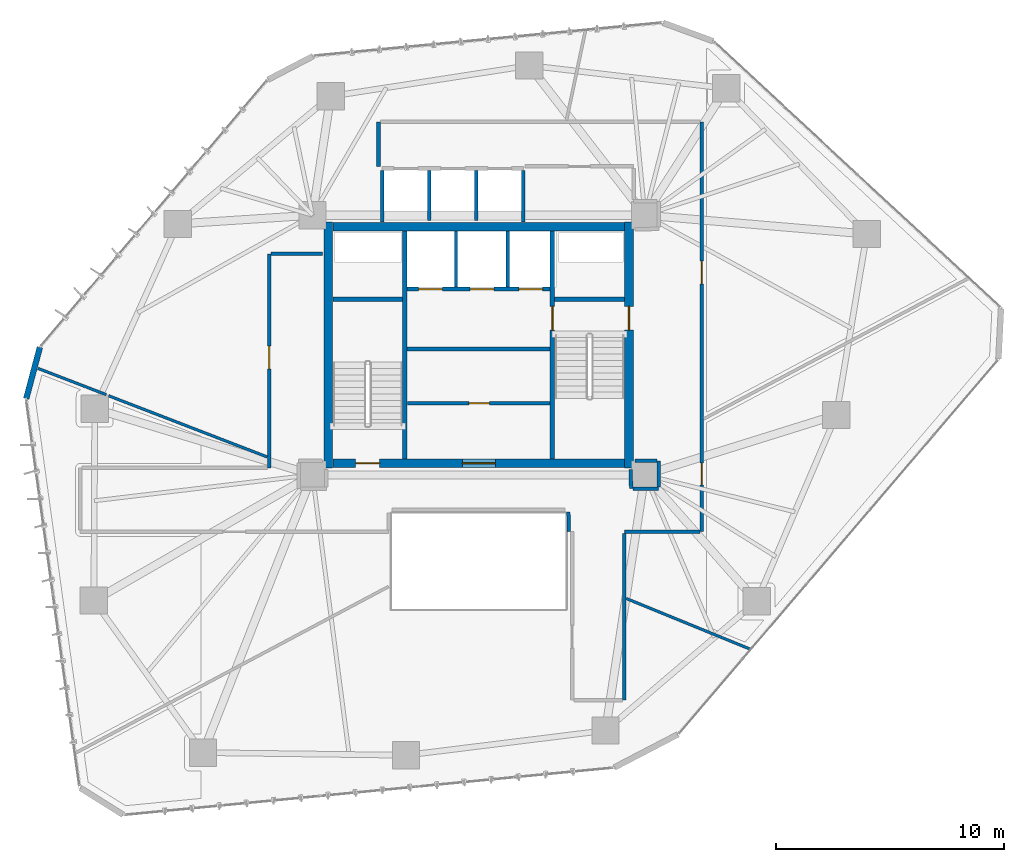
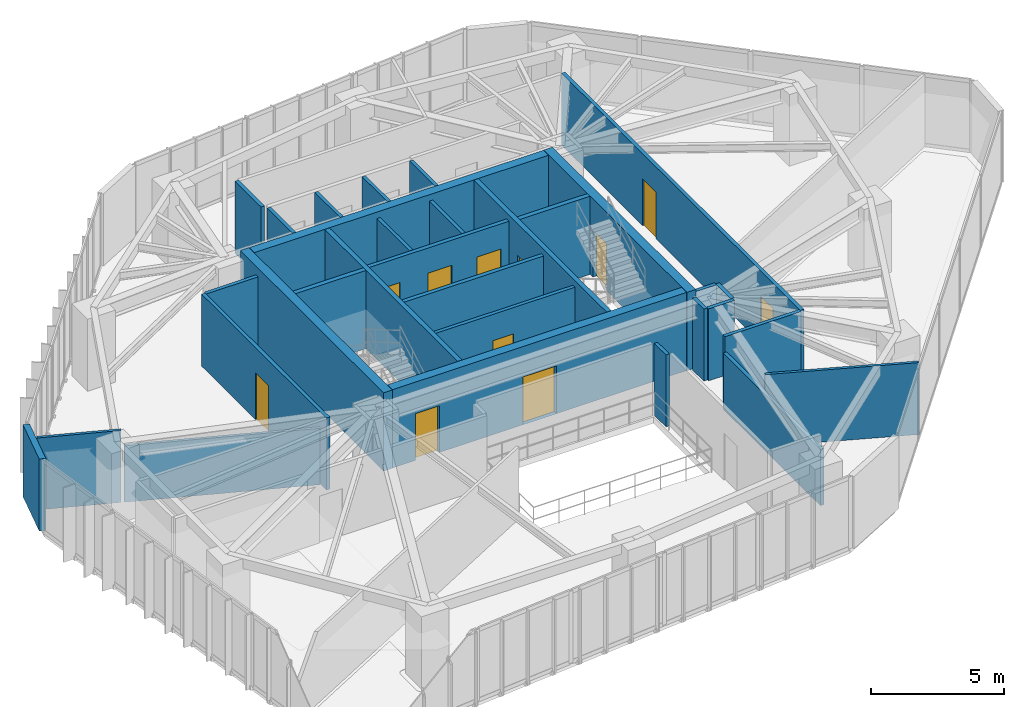
# One storey, part 18 of 22: 32 walls, 11 doors, 11 openings.
"""IFC4 building model written with IfcOpenShell, lengths in metres."""

from ifc_helpers import new_model, si_unit, direction, frame, frame_2d, origin, place, context, subcontext, project, spatial, rectangle, extrude, source, transform, mapped, material, layer, layer_set, type_object, type_shapes, element, fill, save


model = new_model("IFC4")

# Units and contexts
model_context = context("Model", 3, precision=1e-05, world=origin(), true_north=direction((0.0, 1.0)))
body_context = subcontext(model_context, "Body", "Model", "MODEL_VIEW")
ifc_project = project(units=[si_unit("LENGTHUNIT", "METRE"), si_unit("AREAUNIT", "SQUARE_METRE"), si_unit("VOLUMEUNIT", "CUBIC_METRE"), si_unit("PLANEANGLEUNIT", "RADIAN"), si_unit("MASSUNIT", "GRAM", prefix="KILO")], contexts=[model_context])

# Site, building, storey
site_placement = place(None, origin())
site = spatial("IfcSite", under=ifc_project, at=site_placement, CompositionType="ELEMENT")
building_placement = place(site_placement, origin())
building = spatial("IfcBuilding", under=site, at=building_placement, Name="Talar Marvaseh", CompositionType="ELEMENT")
storey_placement = place(building_placement, frame((0.0, 0.0, 107.39990234375)))
storey = spatial("IfcBuildingStorey", under=building, at=storey_placement, Name="L27", CompositionType="ELEMENT", Elevation=107.39990234375)

# Wall
ifc_material_1 = material(Name="Precast concrete C45/55", Category="concrete")
ifc_layer_1 = layer(ifc_material_1, 0.2548828125)
ifc_layer_set_1 = layer_set([ifc_layer_1], Name="Precast concrete C45/55")
wall_type_1 = type_object("IfcWallType", Name="Chamfered Hexagonal Corner Pier Wall Z2 255", PredefinedType="SOLIDWALL", material=ifc_layer_set_1)
wall_1_placement = place(storey_placement, frame((6.1279296875, 28.841796875, 0.0), z_axis=(0.0, 0.0, 1.0), x_axis=(0.256669334324, 0.966499277195, 0.0)))
element("IfcWall", 1, at=wall_1_placement, inside=storey, type_object=wall_type_1, Name="L27 Chamfered Corner Limestone Pier 2", PredefinedType="SOLIDWALL", context=body_context, shape_type="SweptSolid", body=[
    extrude(rectangle(XDim=2.3408203125, YDim=0.2548828125, at=frame_2d((1.17041015625, 0.0))), origin(), (0.0, 0.0, 1.0), 3.31005859375),
])

# Wall, opening, door
ifc_material_2 = material(Name="Gypsum Board Partition Assembly")
ifc_layer_2 = layer(ifc_material_2, 0.155029296875)
ifc_layer_set_2 = layer_set([ifc_layer_2], Name="Gypsum Board Partition Assembly")
wall_type_2 = type_object("IfcWallType", Name="Corridor Fire-Rated Acoustic Partition 155", PredefinedType="PARTITIONING", material=ifc_layer_set_2)
wall_2_placement = place(storey_placement, frame((22.865966796875, 28.639892578125, 0.0), z_axis=(0.0, 0.0, 1.0), x_axis=(1.0, 0.0, 0.0)))
wall_2 = element("IfcWall", 2, at=wall_2_placement, inside=storey, type_object=wall_type_2, Name="L27 Core BOH Partition", PredefinedType="PARTITIONING", context=body_context, shape_type="SweptSolid", body=[
    extrude(rectangle(XDim=6.26806640625, YDim=0.155029296875, at=frame_2d((3.134033203125, 0.0))), origin(), (0.0, 0.0, 1.0), 3.31005859375),
])
opening_1_placement = place(wall_2_placement, frame((2.699951171875, 0.0, 0.0)))
opening_1 = element("IfcOpeningElement", 3, at=opening_1_placement, cuts=wall_2, Name="Opening DR-BOH090", PredefinedType="OPENING", context=body_context, shape_type="SweptSolid", body=[
    extrude(rectangle(XDim=0.89990234375, YDim=2.10009765625, at=frame_2d((0.449951171875, 1.050048828125))), frame((0.0, 0.08740234375, 0.0), z_axis=(0.0, -1.0, 0.0), x_axis=(1.0, 0.0, 0.0)), (0.0, 0.0, 1.0), 0.175048828125),
])
ifc_material_3 = material(Name="Fire-Rated Steel Door Leaf", Category="steel")
door_type_1 = type_object("IfcDoorType", Name="Core Back-of-House Service Door 900x2100", OperationType="NOTDEFINED", PredefinedType="DOOR", material=ifc_material_3)
shared_shape_1 = source(origin(), body_context, "Body", "SweptSolid", [
    extrude(rectangle(XDim=0.89990234375, YDim=2.10009765625, at=frame_2d((0.449951171875, 1.050048828125))), frame((0.0, 0.02490234375, 0.0), z_axis=(0.0, -1.0, 0.0), x_axis=(1.0, 0.0, 0.0)), (0.0, 0.0, 1.0), 0.050048828125),
])
type_shapes(door_type_1, [shared_shape_1])
door_1_placement = place(opening_1_placement, origin())
door_1 = element("IfcDoor", 4, at=door_1_placement, inside=storey, type_object=door_type_1, Name="L27 Store Core Central Archive Door", OperationType="SINGLE_SWING_LEFT", OverallHeight=2.10009765625, OverallWidth=0.89990234375, PredefinedType="DOOR", context=body_context, shape_type="MappedRepresentation", body=[
    mapped(shared_shape_1, transform((0.0, 0.0, 0.0), x_axis=(1.0, 0.0, 0.0), y_axis=(0.0, 1.0, 0.0), z_axis=(0.0, 0.0, 1.0), scale=1.0)),
])
fill(opening_1, door_1)

wall_3_placement = place(storey_placement, frame((16.800048828125, 25.800048828125, 0.0), z_axis=(0.0, 0.0, 1.0), x_axis=(0.0, 1.0, 0.0)))
wall_3 = element("IfcWall", 5, at=wall_3_placement, inside=storey, type_object=wall_type_2, Name="L27 Interior Partition Wall", PredefinedType="PARTITIONING", context=body_context, shape_type="SweptSolid", body=[
    extrude(rectangle(XDim=9.39990234375, YDim=0.155029296875, at=frame_2d((4.699951171875, 0.0))), origin(), (0.0, 0.0, 1.0), 3.31005859375),
])
opening_2_placement = place(wall_3_placement, frame((4.356201171875, 0.0, 0.0)))
opening_2 = element("IfcOpeningElement", 6, at=opening_2_placement, cuts=wall_3, Name="Opening DR-RM100", PredefinedType="OPENING", context=body_context, shape_type="SweptSolid", body=[
    extrude(rectangle(XDim=1.0, YDim=2.14990234375, at=frame_2d((0.5, 1.074951171875))), frame((0.0, 0.08740234375, 0.0), z_axis=(0.0, -1.0, 0.0), x_axis=(1.0, 0.0, 0.0)), (0.0, 0.0, 1.0), 0.175048828125),
])
ifc_material_4 = material(Name="Acoustic Engineered Oak Timber", Category="wood")
door_type_2 = type_object("IfcDoorType", Name="Corridor Fire-Rated Gallery Door 1000x2150", OperationType="NOTDEFINED", PredefinedType="DOOR", material=ifc_material_4)
shared_shape_2 = source(origin(), body_context, "Body", "SweptSolid", [
    extrude(rectangle(XDim=1.0, YDim=2.14990234375, at=frame_2d((0.5, 1.074951171875))), frame((0.0, 0.02490234375, 0.0), z_axis=(0.0, -1.0, 0.0), x_axis=(1.0, 0.0, 0.0)), (0.0, 0.0, 1.0), 0.050048828125),
])
type_shapes(door_type_2, [shared_shape_2])
door_2_placement = place(opening_2_placement, origin())
door_2 = element("IfcDoor", 7, at=door_2_placement, inside=storey, type_object=door_type_2, Name="L27 Colloquium Boardroom Door", OperationType="SINGLE_SWING_LEFT", OverallHeight=2.14990234375, OverallWidth=1.0, PredefinedType="DOOR", context=body_context, shape_type="MappedRepresentation", body=[
    mapped(shared_shape_2, transform((0.0, 0.0, 0.0), x_axis=(1.0, 0.0, 0.0), y_axis=(0.0, 1.0, 0.0), z_axis=(0.0, 0.0, 1.0), scale=1.0)),
])
fill(opening_2, door_2)

# Wall, openings, doors
wall_4_placement = place(storey_placement, frame((35.800048828125, 41.0, 0.0), z_axis=(0.0, 0.0, 1.0), x_axis=(0.0, -1.0, 0.0)))
wall_4 = element("IfcWall", 8, at=wall_4_placement, inside=storey, type_object=wall_type_2, Name="L27 Interior Partition Wall", PredefinedType="PARTITIONING", context=body_context, shape_type="SweptSolid", body=[
    extrude(rectangle(XDim=18.0, YDim=0.155029296875, at=frame_2d((9.0, 0.0))), origin(), (0.0, 0.0, 1.0), 3.31005859375),
])
opening_3_placement = place(wall_4_placement, frame((14.990234375, 0.0, 0.0)))
opening_3 = element("IfcOpeningElement", 9, at=opening_3_placement, cuts=wall_4, Name="Opening DR-WC095", PredefinedType="OPENING", context=body_context, shape_type="SweptSolid", body=[
    extrude(rectangle(XDim=0.949951171875, YDim=2.14990234375, at=frame_2d((0.47509765625, 1.074951171875))), frame((0.0, 0.08740234375, 0.0), z_axis=(0.0, -1.0, 0.0), x_axis=(1.0, 0.0, 0.0)), (0.0, 0.0, 1.0), 0.175048828125),
])
opening_4_placement = place(wall_4_placement, frame((6.114501953125, 0.0, 0.0)))
opening_4 = element("IfcOpeningElement", 10, at=opening_4_placement, cuts=wall_4, Name="Opening DR-RM100", PredefinedType="OPENING", context=body_context, shape_type="SweptSolid", body=[
    extrude(rectangle(XDim=1.0, YDim=2.14990234375, at=frame_2d((0.5, 1.074951171875))), frame((0.0, 0.08740234375, 0.0), z_axis=(0.0, -1.0, 0.0), x_axis=(1.0, 0.0, 0.0)), (0.0, 0.0, 1.0), 0.175048828125),
])
door_type_3 = type_object("IfcDoorType", Name="Washroom and Service Room Door 950x2150", OperationType="NOTDEFINED", PredefinedType="DOOR", material=ifc_material_4)
shared_shape_3 = source(origin(), body_context, "Body", "SweptSolid", [
    extrude(rectangle(XDim=0.949951171875, YDim=2.14990234375, at=frame_2d((0.47509765625, 1.074951171875))), frame((0.0, 0.02490234375, 0.0), z_axis=(0.0, -1.0, 0.0), x_axis=(1.0, 0.0, 0.0)), (0.0, 0.0, 1.0), 0.050048828125),
])
type_shapes(door_type_3, [shared_shape_3])
door_3_placement = place(opening_3_placement, origin())
door_3 = element("IfcDoor", 11, at=door_3_placement, inside=storey, type_object=door_type_3, Name="L27 Accessible WC Block Door", OperationType="SINGLE_SWING_RIGHT", OverallHeight=2.14990234375, OverallWidth=0.949951171875, PredefinedType="DOOR", context=body_context, shape_type="MappedRepresentation", body=[
    mapped(shared_shape_3, transform((0.0, 0.0, 0.0), x_axis=(1.0, 0.0, 0.0), y_axis=(0.0, 1.0, 0.0), z_axis=(0.0, 0.0, 1.0), scale=1.0)),
])
fill(opening_3, door_3)
door_4_placement = place(opening_4_placement, origin())
door_4 = element("IfcDoor", 12, at=door_4_placement, inside=storey, type_object=door_type_2, Name="L27 Archival Research Office Door", OperationType="SINGLE_SWING_LEFT", OverallHeight=2.14990234375, OverallWidth=1.0, PredefinedType="DOOR", context=body_context, shape_type="MappedRepresentation", body=[
    mapped(shared_shape_2, transform((0.0, 0.0, 0.0), x_axis=(1.0, 0.0, 0.0), y_axis=(0.0, 1.0, 0.0), z_axis=(0.0, 0.0, 1.0), scale=1.0)),
])
fill(opening_4, door_4)

# Walls
wall_5_placement = place(storey_placement, frame((16.883544921875, 35.199951171875, 0.0), z_axis=(0.0, 0.0, 1.0), x_axis=(1.0, 0.0, 0.0)))
element("IfcWall", 13, at=wall_5_placement, inside=storey, type_object=wall_type_2, Name="L27 Interior Partition Wall", PredefinedType="PARTITIONING", context=body_context, shape_type="SweptSolid", body=[
    extrude(rectangle(XDim=2.246337890625, YDim=0.155029296875, at=frame_2d((1.123046875, 0.0))), origin(), (0.0, 0.0, 1.0), 3.31005859375),
])
wall_6_placement = place(storey_placement, frame((32.68505859375, 25.72998046875, 0.0), z_axis=(0.0, 0.0, 1.0), x_axis=(0.006382231486, -0.999979633353, 0.0)))
element("IfcWall", 14, at=wall_6_placement, inside=storey, type_object=wall_type_2, Name="L27 Interior Partition Wall", PredefinedType="PARTITIONING", context=body_context, shape_type="SweptSolid", body=[
    extrude(rectangle(XDim=0.841552734375, YDim=0.155029296875, at=frame_2d((0.4208984375, 0.0))), origin(), (0.0, 0.0, 1.0), 3.31005859375),
])
wall_7_placement = place(storey_placement, frame((32.77392578125, 24.88818359375, 0.0), z_axis=(0.0, 0.0, 1.0), x_axis=(0.999999164303, -0.001292823742, 0.0)))
element("IfcWall", 15, at=wall_7_placement, inside=storey, type_object=wall_type_2, Name="L27 Interior Partition Wall", PredefinedType="PARTITIONING", context=body_context, shape_type="SweptSolid", body=[
    extrude(rectangle(XDim=1.133056640625, YDim=0.155029296875, at=frame_2d((0.56640625, 0.0))), origin(), (0.0, 0.0, 1.0), 3.31005859375),
])
wall_8_placement = place(storey_placement, frame((33.907470703125, 24.97021484375, 0.0), z_axis=(0.0, 0.0, 1.0), x_axis=(0.003642572792, 0.99999336581, 0.0)))
element("IfcWall", 16, at=wall_8_placement, inside=storey, type_object=wall_type_2, Name="L27 Interior Partition Wall", PredefinedType="PARTITIONING", context=body_context, shape_type="SweptSolid", body=[
    extrude(rectangle(XDim=1.139404296875, YDim=0.155029296875, at=frame_2d((0.56982421875, 0.0))), origin(), (0.0, 0.0, 1.0), 3.31005859375),
])
wall_9_placement = place(storey_placement, frame((33.828125, 26.110107421875, 0.0), z_axis=(0.0, 0.0, 1.0), x_axis=(-0.999987011364, 0.005096773758, 0.0)))
element("IfcWall", 17, at=wall_9_placement, inside=storey, type_object=wall_type_2, Name="L27 Interior Partition Wall", PredefinedType="PARTITIONING", context=body_context, shape_type="SweptSolid", body=[
    extrude(rectangle(XDim=0.9580078125, YDim=0.155029296875, at=frame_2d((0.47900390625, 0.0))), origin(), (0.0, 0.0, 1.0), 3.31005859375),
])
wall_10_placement = place(storey_placement, frame((21.60009765625, 39.0400390625, 0.0), z_axis=(0.0, 0.0, 1.0), x_axis=(0.0, 1.0, 0.0)))
element("IfcWall", 18, at=wall_10_placement, inside=storey, type_object=wall_type_2, Name="L27 Interior Partition Wall", PredefinedType="PARTITIONING", context=body_context, shape_type="SweptSolid", body=[
    extrude(rectangle(XDim=1.9599609375, YDim=0.155029296875, at=frame_2d((0.97998046875, 0.0))), origin(), (0.0, 0.0, 1.0), 3.31005859375),
])
wall_11_placement = place(storey_placement, frame((35.716552734375, 23.0, 0.0), z_axis=(0.0, 0.0, 1.0), x_axis=(-1.0, 0.0, 0.0)))
element("IfcWall", 19, at=wall_11_placement, inside=storey, type_object=wall_type_2, Name="L27 Interior Partition Wall", PredefinedType="PARTITIONING", context=body_context, shape_type="SweptSolid", body=[
    extrude(rectangle(XDim=3.316650390625, YDim=0.155029296875, at=frame_2d((1.658203125, 0.0))), origin(), (0.0, 0.0, 1.0), 3.31005859375),
])
wall_12_placement = place(storey_placement, frame((32.39990234375, 22.91650390625, 0.0), z_axis=(0.0, 0.0, 1.0), x_axis=(0.0, -1.0, 0.0)))
element("IfcWall", 20, at=wall_12_placement, inside=storey, type_object=wall_type_2, Name="L27 Interior Partition Wall", PredefinedType="PARTITIONING", context=body_context, shape_type="SweptSolid", body=[
    extrude(rectangle(XDim=7.31640625, YDim=0.155029296875, at=frame_2d((3.658203125, 0.0))), origin(), (0.0, 0.0, 1.0), 2.590087890625),
])
wall_13_placement = place(storey_placement, frame((29.9599609375, 23.0, 0.0), z_axis=(0.0, 0.0, 1.0), x_axis=(-0.021467444279, 0.999769547864, 0.0)))
element("IfcWall", 21, at=wall_13_placement, inside=storey, type_object=wall_type_2, Name="L27 Interior Partition Wall", PredefinedType="PARTITIONING", context=body_context, shape_type="SweptSolid", body=[
    extrude(rectangle(XDim=0.875732421875, YDim=0.155029296875, at=frame_2d((0.43798828125, 0.0))), origin(), (0.0, 0.0, 1.0), 3.31005859375),
])
ifc_layer_3 = layer(ifc_material_2, 0.1201171875)
ifc_layer_set_3 = layer_set([ifc_layer_3], Name="Gypsum Board Partition Assembly")
wall_type_3 = type_object("IfcWallType", Name="Demountable Studio Room Partition 120", PredefinedType="PARTITIONING", material=ifc_layer_set_3)
wall_14_placement = place(storey_placement, frame((6.649169921875, 30.171875, 0.0), z_axis=(0.0, 0.0, 1.0), x_axis=(0.933180586246, -0.359407837217, 0.0)))
element("IfcWall", 22, at=wall_14_placement, inside=storey, type_object=wall_type_3, Name="L27 Interior Partition Wall", PredefinedType="PARTITIONING", context=body_context, shape_type="SweptSolid", body=[
    extrude(rectangle(XDim=3.204833984375, YDim=0.1201171875, at=frame_2d((1.6025390625, 0.0))), origin(), (0.0, 0.0, 1.0), 3.31005859375),
])
wall_15_placement = place(storey_placement, frame((9.75, 28.969970703125, 0.0), z_axis=(0.0, 0.0, 1.0), x_axis=(0.932972642156, -0.359947286402, 0.0)))
element("IfcWall", 23, at=wall_15_placement, inside=storey, type_object=wall_type_3, Name="L27 Interior Partition Wall", PredefinedType="PARTITIONING", context=body_context, shape_type="SweptSolid", body=[
    extrude(rectangle(XDim=7.467041015625, YDim=0.1201171875, at=frame_2d((3.7333984375, 0.0))), origin(), (0.0, 0.0, 1.0), 2.590087890625),
])
wall_16_placement = place(storey_placement, frame((32.4833984375, 20.06591796875, 0.0), z_axis=(0.0, 0.0, 1.0), x_axis=(0.925708869709, -0.378236815425, 0.0)))
element("IfcWall", 24, at=wall_16_placement, inside=storey, type_object=wall_type_3, Name="L27 Interior Partition Wall", PredefinedType="PARTITIONING", context=body_context, shape_type="SweptSolid", body=[
    extrude(rectangle(XDim=5.881591796875, YDim=0.1201171875, at=frame_2d((2.94091796875, 0.0))), origin(), (0.0, 0.0, 1.0), 3.31005859375),
])
ifc_layer_4 = layer(ifc_material_1, 0.14501953125)
ifc_layer_set_4 = layer_set([ifc_layer_4], Name="Precast concrete C45/55")
wall_type_4 = type_object("IfcWallType", Name="Fire-Rated Lift Divider Wall 145", PredefinedType="SOLIDWALL", material=ifc_layer_set_4)
for number, where, z_axis, x_axis, name in (
    (25, (25.0, 33.743408203125, 0.0), (0.0, 0.0, 1.0), (0.0, 1.0, 0.0), "L27 FFL-1/FFL-2 Divider"),
    (26, (27.280029296875, 33.743408203125, 0.0), (0.0, 0.0, 1.0), (0.0, 1.0, 0.0), "L27 FFL-2/SVL-1 Divider"),
):
    element("IfcWall", number, at=place(storey_placement, frame(where, z_axis=z_axis, x_axis=x_axis)), inside=storey, type_object=wall_type_4, Name=name, PredefinedType="SOLIDWALL", context=body_context, shape_type="SweptSolid", body=[
        extrude(rectangle(XDim=2.45654296875, YDim=0.14501953125, at=frame_2d((1.228271484375, 0.0))), origin(), (0.0, 0.0, 1.0), 3.31005859375),
    ])
for number, where, z_axis, x_axis, name in (
    (27, (21.760009765625, 36.60009765625, 0.0), (0.0, 0.0, 1.0), (0.0, 1.0, 0.0), "L27 Low-Rise Bank West Wall"),
    (28, (27.9599609375, 36.60009765625, 0.0), (0.0, 0.0, 1.0), (0.0, 1.0, 0.0), "L27 Low-Rise Bank East Wall"),
):
    element("IfcWall", number, at=place(storey_placement, frame(where, z_axis=z_axis, x_axis=x_axis)), inside=storey, type_object=wall_type_4, Name=name, PredefinedType="SOLIDWALL", context=body_context, shape_type="SweptSolid", body=[
        extrude(rectangle(XDim=2.266357421875, YDim=0.14501953125, at=frame_2d((1.13330078125, 0.0))), origin(), (0.0, 0.0, 1.0), 3.31005859375),
    ])
for number, where, z_axis, x_axis, name in (
    (29, (23.830078125, 36.659912109375, 0.0), (0.0, 0.0, 1.0), (0.0, 1.0, 0.0), "L27 PL-L1/PL-L2 Divider"),
    (30, (25.889892578125, 36.659912109375, 0.0), (0.0, 0.0, 1.0), (0.0, 1.0, 0.0), "L27 PL-L2/PL-L3 Divider"),
):
    element("IfcWall", number, at=place(storey_placement, frame(where, z_axis=z_axis, x_axis=x_axis)), inside=storey, type_object=wall_type_4, Name=name, PredefinedType="SOLIDWALL", context=body_context, shape_type="SweptSolid", body=[
        extrude(rectangle(XDim=2.20654296875, YDim=0.14501953125, at=frame_2d((1.103271484375, 0.0))), origin(), (0.0, 0.0, 1.0), 3.31005859375),
    ])

# Wall, openings, doors
ifc_layer_5 = layer(ifc_material_1, 0.175048828125)
ifc_layer_set_5 = layer_set([ifc_layer_5], Name="Precast concrete C45/55")
wall_type_5 = type_object("IfcWallType", Name="Fire-Rated Lift Hoistway Enclosure Wall 175", PredefinedType="SOLIDWALL", material=ifc_layer_set_5)
wall_17_placement = place(storey_placement, frame((22.860107421875, 33.64990234375, 0.0), z_axis=(0.0, 0.0, 1.0), x_axis=(1.0, 0.0, 0.0)))
wall_17 = element("IfcWall", 31, at=wall_17_placement, inside=storey, type_object=wall_type_5, Name="L27 Firefighting and Service Lift Front Wall", PredefinedType="SOLIDWALL", context=body_context, shape_type="SweptSolid", body=[
    extrude(rectangle(XDim=6.27978515625, YDim=0.175048828125, at=frame_2d((3.139892578125, 0.0))), origin(), (0.0, 0.0, 1.0), 3.31005859375),
])
opening_5_placement = place(wall_17_placement, frame((0.5, 0.0, 0.0)))
opening_5 = element("IfcOpeningElement", 32, at=opening_5_placement, cuts=wall_17, Name="Opening LD-FF1", PredefinedType="OPENING", context=body_context, shape_type="SweptSolid", body=[
    extrude(rectangle(XDim=1.050048828125, YDim=2.14990234375, at=frame_2d((0.52490234375, 1.074951171875))), frame((0.0, 0.09765625, 0.0), z_axis=(0.0, -1.0, 0.0), x_axis=(1.0, 0.0, 0.0)), (0.0, 0.0, 1.0), 0.195068359375),
])
opening_6_placement = place(wall_17_placement, frame((2.760009765625, 0.0, 0.0)))
opening_6 = element("IfcOpeningElement", 33, at=opening_6_placement, cuts=wall_17, Name="Opening LD-FF2", PredefinedType="OPENING", context=body_context, shape_type="SweptSolid", body=[
    extrude(rectangle(XDim=1.050048828125, YDim=2.14990234375, at=frame_2d((0.52490234375, 1.074951171875))), frame((0.0, 0.09765625, 0.0), z_axis=(0.0, -1.0, 0.0), x_axis=(1.0, 0.0, 0.0)), (0.0, 0.0, 1.0), 0.195068359375),
])
opening_7_placement = place(wall_17_placement, frame((4.89990234375, 0.0, 0.0)))
opening_7 = element("IfcOpeningElement", 34, at=opening_7_placement, cuts=wall_17, Name="Opening LD-SV1", PredefinedType="OPENING", context=body_context, shape_type="SweptSolid", body=[
    extrude(rectangle(XDim=1.050048828125, YDim=2.14990234375, at=frame_2d((0.52490234375, 1.074951171875))), frame((0.0, 0.09765625, 0.0), z_axis=(0.0, -1.0, 0.0), x_axis=(1.0, 0.0, 0.0)), (0.0, 0.0, 1.0), 0.195068359375),
])
ifc_material_5 = material(Name="Stainless Steel Grade 316", Category="steel")
door_type_4 = type_object("IfcDoorType", Name="Automatic Sliding Lift Landing Door 1050x2150", OperationType="NOTDEFINED", PredefinedType="DOOR", material=ifc_material_5)
shared_shape_4 = source(origin(), body_context, "Body", "SweptSolid", [
    extrude(rectangle(XDim=1.050048828125, YDim=2.14990234375, at=frame_2d((0.52490234375, 1.074951171875))), frame((0.0, 0.02490234375, 0.0), z_axis=(0.0, -1.0, 0.0), x_axis=(1.0, 0.0, 0.0)), (0.0, 0.0, 1.0), 0.050048828125),
])
type_shapes(door_type_4, [shared_shape_4])
door_5_placement = place(opening_5_placement, origin())
door_5 = element("IfcDoor", 35, at=door_5_placement, inside=storey, type_object=door_type_4, Name="L27 Lift FFL-1 Sliding Landing Door", OperationType="SLIDING_TO_LEFT", OverallHeight=2.14990234375, OverallWidth=1.050048828125, PredefinedType="DOOR", context=body_context, shape_type="MappedRepresentation", body=[
    mapped(shared_shape_4, transform((0.0, 0.0, 0.0), x_axis=(1.0, 0.0, 0.0), y_axis=(0.0, 1.0, 0.0), z_axis=(0.0, 0.0, 1.0), scale=1.0)),
])
fill(opening_5, door_5)
door_6_placement = place(opening_6_placement, origin())
door_6 = element("IfcDoor", 36, at=door_6_placement, inside=storey, type_object=door_type_4, Name="L27 Lift FFL-2 Sliding Landing Door", OperationType="SLIDING_TO_LEFT", OverallHeight=2.14990234375, OverallWidth=1.050048828125, PredefinedType="DOOR", context=body_context, shape_type="MappedRepresentation", body=[
    mapped(shared_shape_4, transform((0.0, 0.0, 0.0), x_axis=(1.0, 0.0, 0.0), y_axis=(0.0, 1.0, 0.0), z_axis=(0.0, 0.0, 1.0), scale=1.0)),
])
fill(opening_6, door_6)
door_7_placement = place(opening_7_placement, origin())
door_7 = element("IfcDoor", 37, at=door_7_placement, inside=storey, type_object=door_type_4, Name="L27 Lift SVL-1 Sliding Landing Door", OperationType="SLIDING_TO_LEFT", OverallHeight=2.14990234375, OverallWidth=1.050048828125, PredefinedType="DOOR", context=body_context, shape_type="MappedRepresentation", body=[
    mapped(shared_shape_4, transform((0.0, 0.0, 0.0), x_axis=(1.0, 0.0, 0.0), y_axis=(0.0, 1.0, 0.0), z_axis=(0.0, 0.0, 1.0), scale=1.0)),
])
fill(opening_7, door_7)

# Walls
wall_18_placement = place(storey_placement, frame((22.860107421875, 31.02001953125, 0.0), z_axis=(0.0, 0.0, 1.0), x_axis=(1.0, 0.0, 0.0)))
element("IfcWall", 38, at=wall_18_placement, inside=storey, type_object=wall_type_5, Name="L27 Firefighting Lobby South Smoke Wall", PredefinedType="SOLIDWALL", context=body_context, shape_type="SweptSolid", body=[
    extrude(rectangle(XDim=6.27978515625, YDim=0.175048828125, at=frame_2d((3.139892578125, 0.0))), origin(), (0.0, 0.0, 1.0), 3.31005859375),
])
ifc_material_6 = material(Name="Concrete C60/75", Category="concrete")
ifc_layer_6 = layer(ifc_material_6, 0.3798828125)
ifc_layer_set_6 = layer_set([ifc_layer_6], Name="Concrete C60/75")
wall_type_6 = type_object("IfcWallType", Name="Mid Core Reinforced Concrete Shear Wall 380", PredefinedType="SHEAR", material=ifc_layer_set_6)
wall_19_placement = place(storey_placement, frame((19.39990234375, 25.800048828125, 0.0), z_axis=(0.0, 0.0, 1.0), x_axis=(0.0, 1.0, 0.0)))
element("IfcWall", 39, at=wall_19_placement, inside=storey, type_object=wall_type_6, Name="L27 West Core Shear Wall", PredefinedType="SHEAR", context=body_context, shape_type="SweptSolid", body=[
    extrude(rectangle(XDim=10.800048828125, YDim=0.3798828125, at=frame_2d((5.39990234375, 0.0))), origin(), (0.0, 0.0, 1.0), 3.60009765625),
])

# Wall, opening, door
wall_20_placement = place(storey_placement, frame((32.60009765625, 36.60009765625, 0.0), z_axis=(0.0, 0.0, 1.0), x_axis=(0.0, -1.0, 0.0)))
wall_20 = element("IfcWall", 40, at=wall_20_placement, inside=storey, type_object=wall_type_6, Name="L27 East Core Shear Wall", PredefinedType="SHEAR", context=body_context, shape_type="SweptSolid", body=[
    extrude(rectangle(XDim=10.800048828125, YDim=0.3798828125, at=frame_2d((5.39990234375, 0.0))), origin(), (0.0, 0.0, 1.0), 3.60009765625),
])
opening_8_placement = place(wall_20_placement, frame((3.699951171875, 0.0, 0.0)))
opening_8 = element("IfcOpeningElement", 41, at=opening_8_placement, cuts=wall_20, Name="Opening DR-ST105", PredefinedType="OPENING", context=body_context, shape_type="SweptSolid", body=[
    extrude(rectangle(XDim=1.050048828125, YDim=2.14990234375, at=frame_2d((0.52490234375, 1.074951171875))), frame((0.0, 0.199951171875, 0.0), z_axis=(0.0, -1.0, 0.0), x_axis=(1.0, 0.0, 0.0)), (0.0, 0.0, 1.0), 0.39990234375),
])
door_type_5 = type_object("IfcDoorType", Name="Protected Exit Stair Fire Door 1050x2150", OperationType="NOTDEFINED", PredefinedType="DOOR", material=ifc_material_3)
shared_shape_5 = source(origin(), body_context, "Body", "SweptSolid", [
    extrude(rectangle(XDim=1.050048828125, YDim=2.14990234375, at=frame_2d((0.52490234375, 1.074951171875))), frame((0.0, 0.02490234375, 0.0), z_axis=(0.0, -1.0, 0.0), x_axis=(1.0, 0.0, 0.0)), (0.0, 0.0, 1.0), 0.050048828125),
])
type_shapes(door_type_5, [shared_shape_5])
door_8_placement = place(opening_8_placement, origin())
door_8 = element("IfcDoor", 42, at=door_8_placement, inside=storey, type_object=door_type_5, Name="L27 Stair ST-2 Corridor Exit Door", OperationType="SINGLE_SWING_LEFT", OverallHeight=2.14990234375, OverallWidth=1.050048828125, PredefinedType="DOOR", context=body_context, shape_type="MappedRepresentation", body=[
    mapped(shared_shape_5, transform((0.0, 0.0, 0.0), x_axis=(1.0, 0.0, 0.0), y_axis=(0.0, 1.0, 0.0), z_axis=(0.0, 0.0, 1.0), scale=1.0)),
])
fill(opening_8, door_8)

# Wall
wall_21_placement = place(storey_placement, frame((19.60009765625, 36.39990234375, 0.0), z_axis=(0.0, 0.0, 1.0), x_axis=(1.0, 0.0, 0.0)))
element("IfcWall", 43, at=wall_21_placement, inside=storey, type_object=wall_type_6, Name="L27 North Core Shear Wall", PredefinedType="SHEAR", context=body_context, shape_type="SweptSolid", body=[
    extrude(rectangle(XDim=12.7998046875, YDim=0.3798828125, at=frame_2d((6.39990234375, 0.0))), origin(), (0.0, 0.0, 1.0), 3.60009765625),
])

# Wall, openings, doors
wall_22_placement = place(storey_placement, frame((32.39990234375, 26.0, 0.0), z_axis=(0.0, 0.0, 1.0), x_axis=(-1.0, 0.0, 0.0)))
wall_22 = element("IfcWall", 44, at=wall_22_placement, inside=storey, type_object=wall_type_6, Name="L27 South Core Shear Wall", PredefinedType="SHEAR", context=body_context, shape_type="SweptSolid", body=[
    extrude(rectangle(XDim=12.7998046875, YDim=0.3798828125, at=frame_2d((6.39990234375, 0.0))), origin(), (0.0, 0.0, 1.0), 3.60009765625),
])
opening_9_placement = place(wall_22_placement, frame((10.75, 0.0, 0.0)))
opening_9 = element("IfcOpeningElement", 45, at=opening_9_placement, cuts=wall_22, Name="Opening DR-ST105", PredefinedType="OPENING", context=body_context, shape_type="SweptSolid", body=[
    extrude(rectangle(XDim=1.050048828125, YDim=2.14990234375, at=frame_2d((0.52490234375, 1.074951171875))), frame((0.0, 0.199951171875, 0.0), z_axis=(0.0, -1.0, 0.0), x_axis=(1.0, 0.0, 0.0)), (0.0, 0.0, 1.0), 0.39990234375),
])
opening_10_placement = place(wall_22_placement, frame((5.669921875, 0.0, 0.0)))
opening_10 = element("IfcOpeningElement", 46, at=opening_10_placement, cuts=wall_22, Name="Opening DR-LBY145", PredefinedType="OPENING", context=body_context, shape_type="SweptSolid", body=[
    extrude(rectangle(XDim=1.449951171875, YDim=2.199951171875, at=frame_2d((0.72509765625, 1.10009765625))), frame((0.0, 0.199951171875, 0.0), z_axis=(0.0, -1.0, 0.0), x_axis=(1.0, 0.0, 0.0)), (0.0, 0.0, 1.0), 0.39990234375),
])
door_9_placement = place(opening_9_placement, origin())
door_9 = element("IfcDoor", 47, at=door_9_placement, inside=storey, type_object=door_type_5, Name="L27 Stair ST-1 Exit Door", OperationType="SINGLE_SWING_RIGHT", OverallHeight=2.14990234375, OverallWidth=1.050048828125, PredefinedType="DOOR", context=body_context, shape_type="MappedRepresentation", body=[
    mapped(shared_shape_5, transform((0.0, 0.0, 0.0), x_axis=(1.0, 0.0, 0.0), y_axis=(0.0, 1.0, 0.0), z_axis=(0.0, 0.0, 1.0), scale=1.0)),
])
fill(opening_9, door_9)
door_type_6 = type_object("IfcDoorType", Name="Core Lift Lobby Double Smoke Door 1450x2200", OperationType="NOTDEFINED", PredefinedType="DOOR", material=ifc_material_3)
shared_shape_6 = source(origin(), body_context, "Body", "SweptSolid", [
    extrude(rectangle(XDim=1.449951171875, YDim=2.199951171875, at=frame_2d((0.72509765625, 1.10009765625))), frame((0.0, 0.02490234375, 0.0), z_axis=(0.0, -1.0, 0.0), x_axis=(1.0, 0.0, 0.0)), (0.0, 0.0, 1.0), 0.050048828125),
])
type_shapes(door_type_6, [shared_shape_6])
door_10_placement = place(opening_10_placement, origin())
door_10 = element("IfcDoor", 48, at=door_10_placement, inside=storey, type_object=door_type_6, Name="L27 Passenger Lift Lobby Entrance Door", OperationType="DOUBLE_DOOR_SINGLE_SWING", OverallHeight=2.199951171875, OverallWidth=1.449951171875, PredefinedType="DOOR", context=body_context, shape_type="MappedRepresentation", body=[
    mapped(shared_shape_6, transform((0.0, 0.0, 0.0), x_axis=(1.0, 0.0, 0.0), y_axis=(0.0, 1.0, 0.0), z_axis=(0.0, 0.0, 1.0), scale=1.0)),
])
fill(opening_10, door_10)

# Wall
ifc_material_7 = material(Name="Concrete C50/60", Category="concrete")
ifc_layer_7 = layer(ifc_material_7, 0.199951171875)
ifc_layer_set_7 = layer_set([ifc_layer_7], Name="Concrete C50/60")
wall_type_7 = type_object("IfcWallType", Name="Stair Shaft Structural Concrete Shear Wall 200", PredefinedType="SHEAR", material=ifc_layer_set_7)
wall_23_placement = place(storey_placement, frame((22.760009765625, 26.199951171875, 0.0), z_axis=(0.0, 0.0, 1.0), x_axis=(0.0, 1.0, 0.0)))
element("IfcWall", 49, at=wall_23_placement, inside=storey, type_object=wall_type_7, Name="L27 Core West Stair Shear Wall", PredefinedType="SHEAR", context=body_context, shape_type="SweptSolid", body=[
    extrude(rectangle(XDim=10.0, YDim=0.199951171875, at=frame_2d((5.0, 0.0))), origin(), (0.0, 0.0, 1.0), 3.60009765625),
])

# Wall, opening, door
wall_24_placement = place(storey_placement, frame((29.239990234375, 26.199951171875, 0.0), z_axis=(0.0, 0.0, 1.0), x_axis=(0.0, 1.0, 0.0)))
wall_24 = element("IfcWall", 50, at=wall_24_placement, inside=storey, type_object=wall_type_7, Name="L27 Core East Stair Shear Wall", PredefinedType="SHEAR", context=body_context, shape_type="SweptSolid", body=[
    extrude(rectangle(XDim=10.0, YDim=0.199951171875, at=frame_2d((5.0, 0.0))), origin(), (0.0, 0.0, 1.0), 3.60009765625),
])
opening_11_placement = place(wall_24_placement, frame((5.64990234375, 0.0, 0.0)))
opening_11 = element("IfcOpeningElement", 51, at=opening_11_placement, cuts=wall_24, Name="Opening DR-ST105", PredefinedType="OPENING", context=body_context, shape_type="SweptSolid", body=[
    extrude(rectangle(XDim=1.050048828125, YDim=2.14990234375, at=frame_2d((0.52490234375, 1.074951171875))), frame((0.0, 0.10986328125, 0.0), z_axis=(0.0, -1.0, 0.0), x_axis=(1.0, 0.0, 0.0)), (0.0, 0.0, 1.0), 0.219970703125),
])
door_11_placement = place(opening_11_placement, origin())
door_11 = element("IfcDoor", 52, at=door_11_placement, inside=storey, type_object=door_type_5, Name="L27 Firefighting Lobby to Stair ST-2 Door", OperationType="SINGLE_SWING_LEFT", OverallHeight=2.14990234375, OverallWidth=1.050048828125, PredefinedType="DOOR", context=body_context, shape_type="MappedRepresentation", body=[
    mapped(shared_shape_5, transform((0.0, 0.0, 0.0), x_axis=(1.0, 0.0, 0.0), y_axis=(0.0, 1.0, 0.0), z_axis=(0.0, 0.0, 1.0), scale=1.0)),
])
fill(opening_11, door_11)

# Walls
for number, where, z_axis, x_axis, name in (
    (53, (19.60009765625, 33.199951171875, 0.0), (0.0, 0.0, 1.0), (1.0, 0.0, 0.0), "L27 Stair ST-1 North Shear Wall"),
    (54, (29.340087890625, 33.199951171875, 0.0), (0.0, 0.0, 1.0), (1.0, 0.0, 0.0), "L27 Stair ST-2 North Shear Wall"),
):
    element("IfcWall", number, at=place(storey_placement, frame(where, z_axis=z_axis, x_axis=x_axis)), inside=storey, type_object=wall_type_7, Name=name, PredefinedType="SHEAR", context=body_context, shape_type="SweptSolid", body=[
        extrude(rectangle(XDim=3.059814453125, YDim=0.199951171875, at=frame_2d((1.52978515625, 0.0))), origin(), (0.0, 0.0, 1.0), 3.60009765625),
    ])

save(model, "model.ifc")
